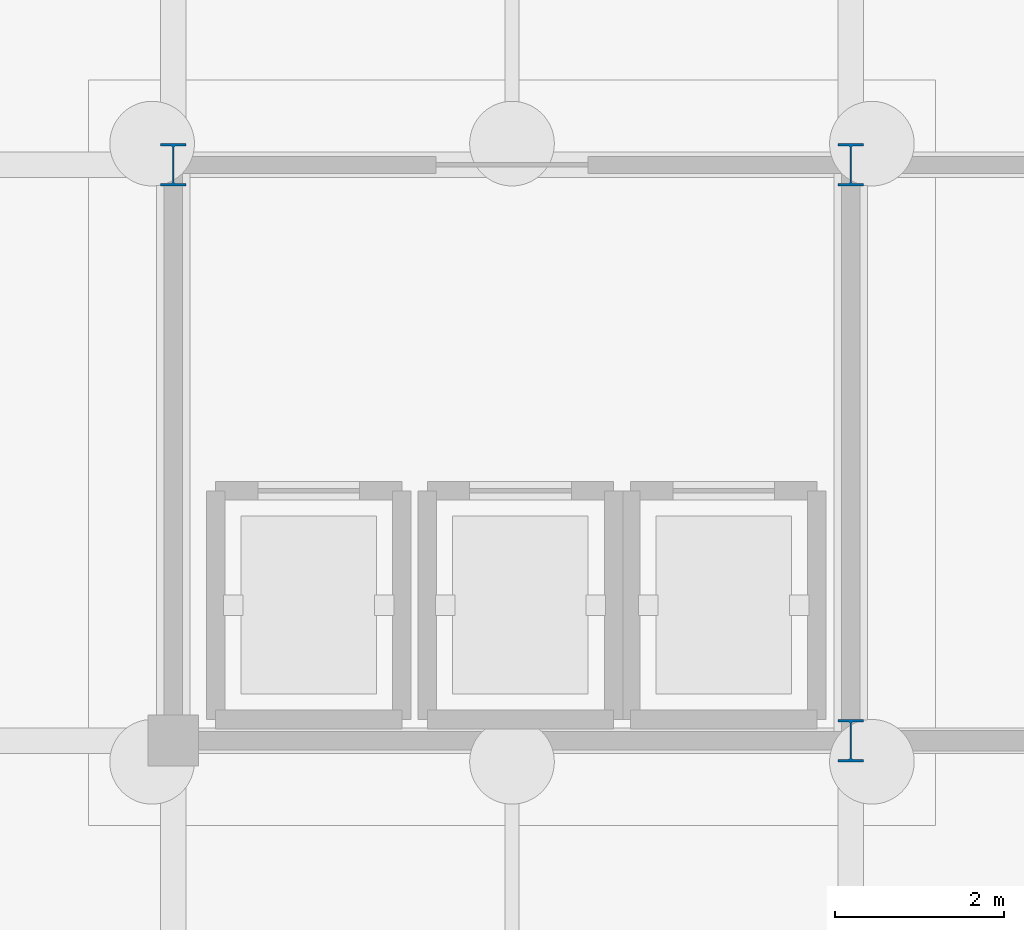
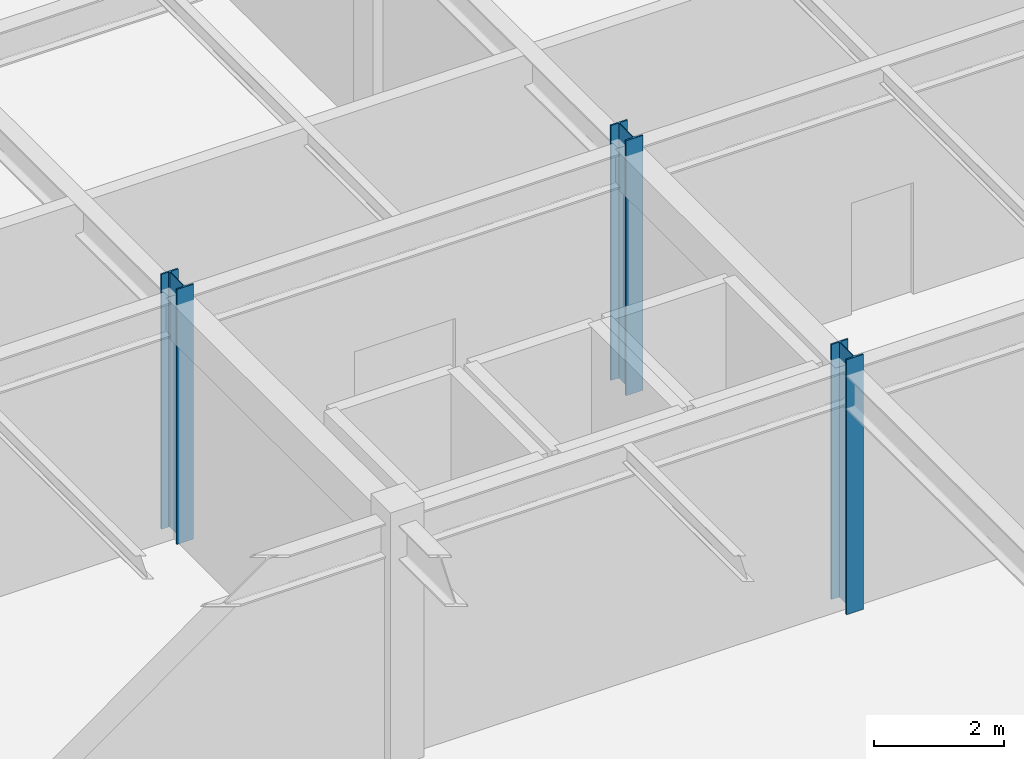
# One storey, part 14 of 53: 3 columns.
"""IFC4 building model written with IfcOpenShell, lengths in metres."""

from ifc_helpers import new_model, si_unit, direction, frame, origin, origin_2d, place, context, subcontext, project, spatial, i_section, extrude, material, material_profile, profile_set, type_object, element, save


model = new_model("IFC4")

# Units and contexts
model_context = context("Model", 3, precision=1e-05, world=origin(), true_north=direction((0.0, 1.0)))
body_context = subcontext(model_context, "Body", "Model", "MODEL_VIEW")
ifc_project = project(units=[si_unit("LENGTHUNIT", "METRE"), si_unit("AREAUNIT", "SQUARE_METRE"), si_unit("VOLUMEUNIT", "CUBIC_METRE"), si_unit("PLANEANGLEUNIT", "RADIAN"), si_unit("MASSUNIT", "GRAM", prefix="KILO")], contexts=[model_context])

# Site, building, storey
site_placement = place(None, origin())
site = spatial("IfcSite", under=ifc_project, at=site_placement, CompositionType="ELEMENT")
building_placement = place(site_placement, origin())
building = spatial("IfcBuilding", under=site, at=building_placement, Name="Shalkamar Park Central Library", CompositionType="ELEMENT")
storey_placement = place(building_placement, frame((0.0, 0.0, -4.800048828125)))
storey = spatial("IfcBuildingStorey", under=building, at=storey_placement, Name="B1", CompositionType="ELEMENT", Elevation=-4.800048828125)

# Columns
ifc_material = material(Name="Steel S355", Category="steel")
ifc_material_profile = material_profile(ifc_material, i_section(OverallWidth=0.300048828125, OverallDepth=0.5, WebThickness=0.014404296875, FlangeThickness=0.028076171875, FilletRadius=0.027099609375, at=origin_2d()), Name="HEB 500")
ifc_profile_set = profile_set([ifc_material_profile], Name="Steel S355")
column_type = type_object("IfcColumnType", Name="Column Steel HEB500", PredefinedType="COLUMN", material=ifc_profile_set)
for number, where, z_axis, x_axis, name in (
    (1, (229.0, 255.199951171875, 0.0), (0.0, 0.0, 1.0), (1.0, 0.0, 0.0), "Column 15/C (B1)"),
    (2, (237.0, 248.39990234375, 0.0), (0.0, 0.0, 1.0), (1.0, 0.0, 0.0), "Column 16/B (B1)"),
    (3, (237.0, 255.199951171875, 0.0), (0.0, 0.0, 1.0), (1.0, 0.0, 0.0), "Column 16/C (B1)"),
):
    element("IfcColumn", number, at=place(storey_placement, frame(where, z_axis=z_axis, x_axis=x_axis)), inside=storey, type_object=column_type, Name=name, PredefinedType="COLUMN", context=body_context, shape_type="SweptSolid", body=[
        extrude(i_section(OverallWidth=0.300048828125, OverallDepth=0.5, WebThickness=0.014404296875, FlangeThickness=0.028076171875, FilletRadius=0.027099609375, at=origin_2d()), origin(), (0.0, 0.0, 1.0), 4.800048828125),
    ])

save(model, "model.ifc")
